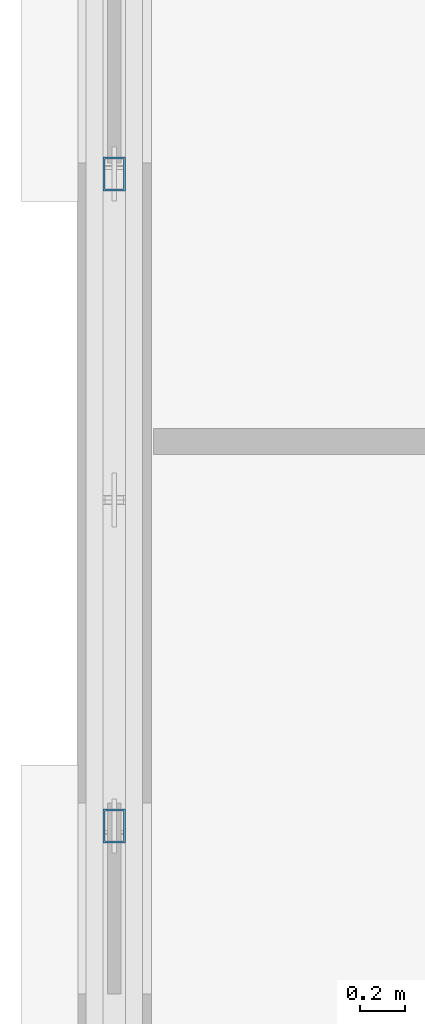
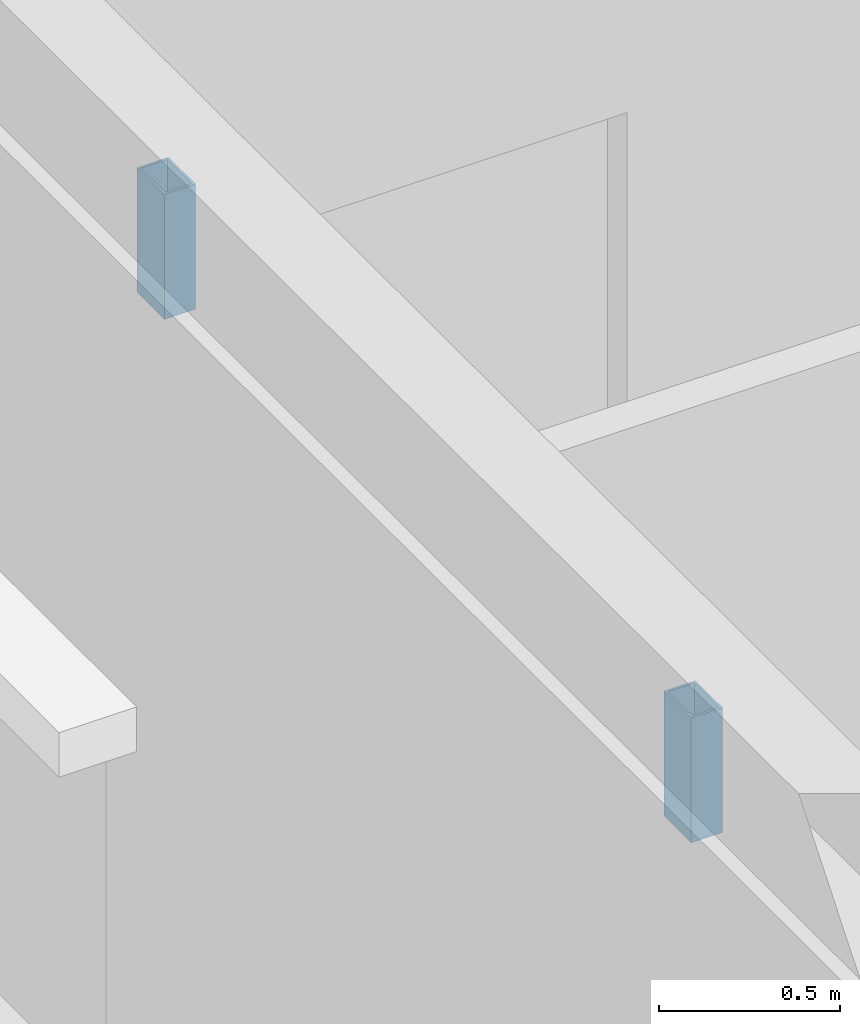
# One storey, part 35 of 138: 2 members.
"""IFC4 building model written with IfcOpenShell, lengths in metres."""

from ifc_helpers import new_model, si_unit, direction, frame, origin, origin_2d, place, context, subcontext, project, spatial, hollow_rectangle, extrude, material, material_profile, profile_set, type_object, element, save


model = new_model("IFC4")

# Units and contexts
model_context = context("Model", 3, precision=1e-05, world=origin(), true_north=direction((0.0, 1.0)))
body_context = subcontext(model_context, "Body", "Model", "MODEL_VIEW")
ifc_project = project(units=[si_unit("LENGTHUNIT", "METRE"), si_unit("AREAUNIT", "SQUARE_METRE"), si_unit("VOLUMEUNIT", "CUBIC_METRE"), si_unit("PLANEANGLEUNIT", "RADIAN"), si_unit("MASSUNIT", "GRAM", prefix="KILO"), si_unit("THERMODYNAMICTEMPERATUREUNIT", "KELVIN"), si_unit("POWERUNIT", "WATT")], contexts=[model_context])

# Site, building, storey
site_placement = place(None, origin())
site = spatial("IfcSite", under=ifc_project, at=site_placement, CompositionType="ELEMENT")
building_placement = place(site_placement, origin())
building = spatial("IfcBuilding", under=site, at=building_placement, Name="Tavuni Mirador Residences", CompositionType="ELEMENT")
storey_placement = place(building_placement, origin())
storey = spatial("IfcBuildingStorey", under=building, at=storey_placement, Name="L00", CompositionType="ELEMENT", Elevation=0.0)

# Members
ifc_material = material(Name="Structural steel S355", Category="steel")
ifc_material_profile = material_profile(ifc_material, hollow_rectangle(XDim=0.10009765625, YDim=0.14990234375, WallThickness=0.008056640625, at=origin_2d()), Name="RHS 150x100x8.0", Category="steel")
ifc_profile_set = profile_set([ifc_material_profile], Name="Structural steel S355")
member_type = type_object("IfcMemberType", Name="MT-BR-RHS150", PredefinedType="BRACE", material=ifc_profile_set)
for number, where, z_axis, x_axis, name in (
    (1, (3.60009765625, 66.947998046875, 3.6298828125), (0.0, 0.0, 1.0), (1.0, 0.0, 0.0), "ARCH-BLKB-W-00-V1"),
    (2, (3.60009765625, 69.85205078125, 3.6298828125), (0.0, 0.0, 1.0), (1.0, 0.0, 0.0), "ARCH-BLKB-W-00-V2"),
):
    element("IfcMember", number, at=place(storey_placement, frame(where, z_axis=z_axis, x_axis=x_axis)), inside=storey, type_object=member_type, Name=name, PredefinedType="BRACE", context=body_context, shape_type="SweptSolid", body=[
        extrude(hollow_rectangle(XDim=0.10009765625, YDim=0.14990234375, WallThickness=0.008056640625, at=origin_2d()), origin(), (0.0, 0.0, 1.0), 0.420166015625),
    ])

save(model, "model.ifc")
